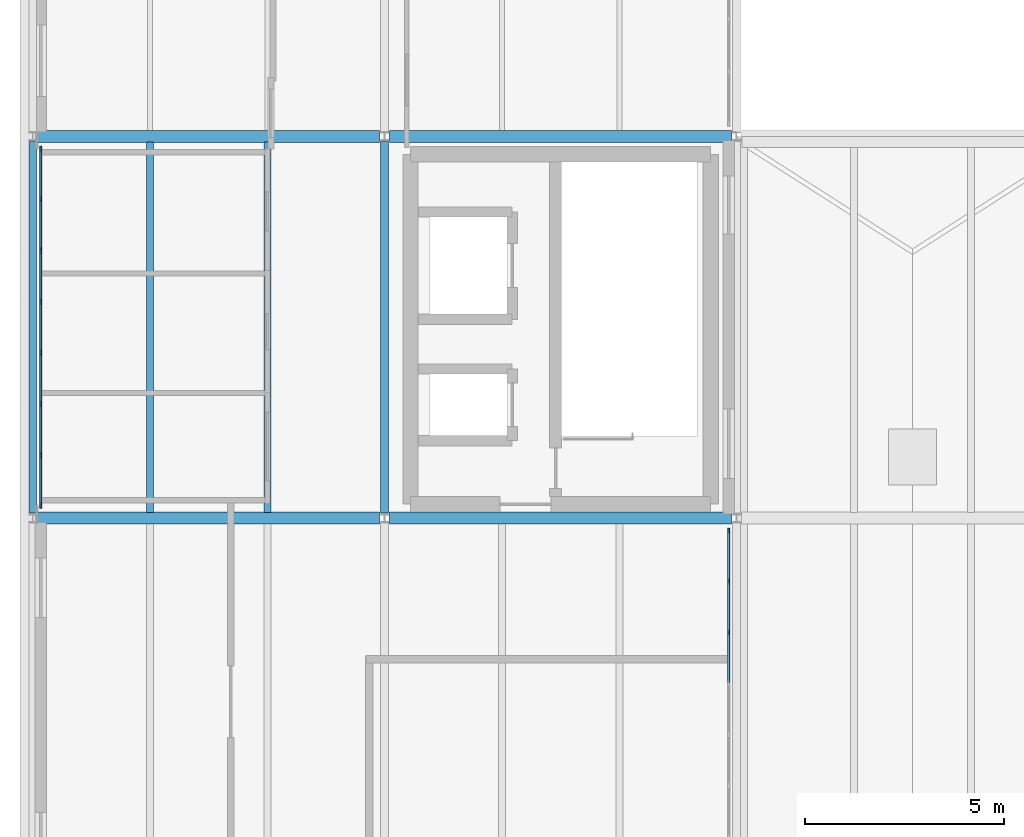
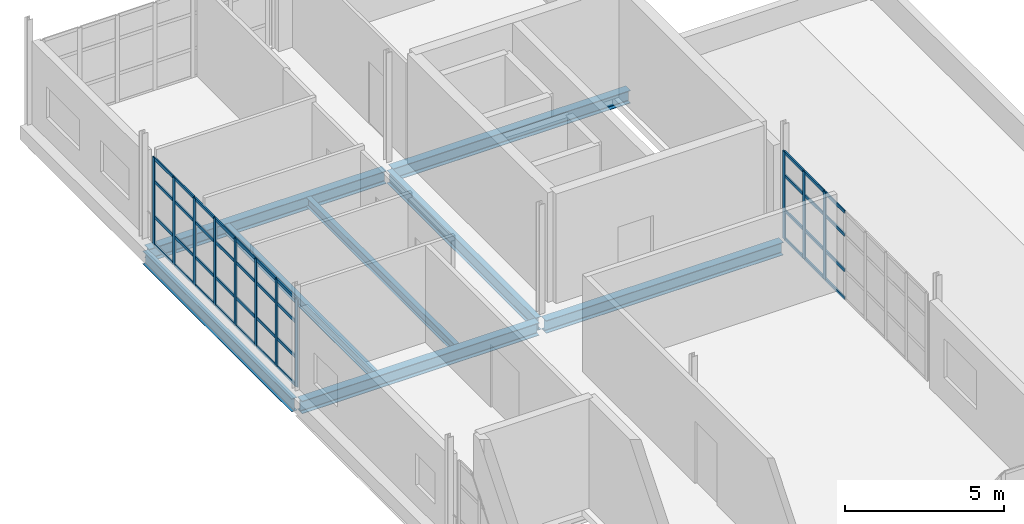
# One storey, part 6 of 16: 51 members, 8 beams, 2 elements without a shape of their own.
"""IFC4 building model written with IfcOpenShell, lengths in metres."""

from ifc_helpers import new_model, si_unit, direction, frame, origin, origin_2d, place, context, subcontext, project, spatial, rectangle, i_section, extrude, material, layer, layer_set, material_profile, profile_set, type_object, element, aggregate, save


model = new_model("IFC4")

# Units and contexts
model_context = context("Model", 3, precision=1e-05, world=origin(), true_north=direction((0.0, 1.0)))
body_context = subcontext(model_context, "Body", "Model", "MODEL_VIEW")
ifc_project = project(units=[si_unit("LENGTHUNIT", "METRE"), si_unit("AREAUNIT", "SQUARE_METRE"), si_unit("VOLUMEUNIT", "CUBIC_METRE"), si_unit("PLANEANGLEUNIT", "RADIAN"), si_unit("MASSUNIT", "GRAM", prefix="KILO")], contexts=[model_context])

# Site, building, storey
site_placement = place(None, origin())
site = spatial("IfcSite", under=ifc_project, at=site_placement, CompositionType="ELEMENT")
building_placement = place(site_placement, origin())
building = spatial("IfcBuilding", under=site, at=building_placement, Name="Yeouljin Market Hall", CompositionType="ELEMENT")
storey_placement = place(building_placement, frame((0.0, 0.0, 19.199951171875)))
storey = spatial("IfcBuildingStorey", under=building, at=storey_placement, Name="L04", CompositionType="ELEMENT", Elevation=19.199951171875)

# Beams
ifc_material_1 = material(Name="Steel SM355", Category="steel")
ifc_material_profile_1 = material_profile(ifc_material_1, i_section(OverallWidth=0.199951171875, OverallDepth=0.5, WebThickness=0.010009765625, FlangeThickness=0.01611328125, FilletRadius=0.02001953125, at=origin_2d()), Name="H-500x200x10x16")
ifc_profile_set_1 = profile_set([ifc_material_profile_1], Name="Steel SM355")
beam_type_1 = type_object("IfcBeamType", Name="Beam_H-500x200x10x16", PredefinedType="BEAM", material=ifc_profile_set_1)
for number, where, z_axis, x_axis, name in (
    (1, (0.0, 19.324951171875, -0.514892578125), (0.0, 1.0, 0.0), (-1.0, 0.0, 0.0), "Primary beam BM-L04-Y029"),
    (2, (8.85009765625, 19.324951171875, -0.514892578125), (0.0, 1.0, 0.0), (-1.0, 0.0, 0.0), "Primary beam BM-L04-Y033"),
):
    element("IfcBeam", number, at=place(storey_placement, frame(where, z_axis=z_axis, x_axis=x_axis)), inside=storey, type_object=beam_type_1, Name=name, PredefinedType="BEAM", context=body_context, shape_type="SweptSolid", body=[
        extrude(i_section(OverallWidth=0.199951171875, OverallDepth=0.5, WebThickness=0.010009765625, FlangeThickness=0.01611328125, FilletRadius=0.02001953125, at=origin_2d()), origin(), (0.0, 0.0, 1.0), 9.35009765625),
    ])

# Curtain wall, members
ifc_material_2 = material(Name="Thermally Broken Aluminium", Category="aluminium")
ifc_layer = layer(ifc_material_2, 0.14990234375)
ifc_layer_set = layer_set([ifc_layer], Name="Thermally Broken Aluminium")
curtain_wall_type = type_object("IfcCurtainWallType", Name="CW_AcademyRibbon_System", PredefinedType="USERDEFINED", material=ifc_layer_set)
curtain_wall_1_placement = place(storey_placement, origin())
curtain_wall_1 = element("IfcCurtainWall", 3, at=curtain_wall_1_placement, inside=storey, type_object=curtain_wall_type, Name="Curtain wall CW-L04-W05", ObjectType="CURTAIN WALL", PredefinedType="USERDEFINED")
ifc_material_3 = material(Name="Thermally Broken Aluminium", Category="aluminium")
ifc_material_profile_2 = material_profile(ifc_material_3, rectangle(XDim=0.048095703125, YDim=0.14990234375, at=origin_2d()), Name="CW-MULL-48x150")
ifc_profile_set_2 = profile_set([ifc_material_profile_2], Name="Thermally Broken Aluminium")
member_type_1 = type_object("IfcMemberType", Name="CWMullion_48x150", PredefinedType="MULLION", material=ifc_profile_set_2)
member_1_placement = place(storey_placement, frame((0.199951171875, 19.52392578125, 0.0), z_axis=(0.0, 0.0, 1.0), x_axis=(-1.0, 0.0, 0.0)))
member_1 = element("IfcMember", 4, at=member_1_placement, type_object=member_type_1, Name="CW-05 mullion 1", PredefinedType="MULLION", context=body_context, shape_type="SweptSolid", body=[
    extrude(rectangle(XDim=0.048095703125, YDim=0.14990234375, at=origin_2d()), origin(), (0.0, 0.0, 1.0), 3.35009765625),
])
member_2_placement = place(storey_placement, frame((0.199951171875, 20.78564453125, 0.0), z_axis=(0.0, 0.0, 1.0), x_axis=(-1.0, 0.0, 0.0)))
member_2 = element("IfcMember", 5, at=member_2_placement, type_object=member_type_1, Name="CW-05 mullion 2", PredefinedType="MULLION", context=body_context, shape_type="SweptSolid", body=[
    extrude(rectangle(XDim=0.048095703125, YDim=0.14990234375, at=origin_2d()), origin(), (0.0, 0.0, 1.0), 3.35009765625),
])
member_3_placement = place(storey_placement, frame((0.199951171875, 22.071533203125, 0.0), z_axis=(0.0, 0.0, 1.0), x_axis=(-1.0, 0.0, 0.0)))
member_3 = element("IfcMember", 6, at=member_3_placement, type_object=member_type_1, Name="CW-05 mullion 3", PredefinedType="MULLION", context=body_context, shape_type="SweptSolid", body=[
    extrude(rectangle(XDim=0.048095703125, YDim=0.14990234375, at=origin_2d()), origin(), (0.0, 0.0, 1.0), 3.35009765625),
])
member_4_placement = place(storey_placement, frame((0.199951171875, 23.357177734375, 0.0), z_axis=(0.0, 0.0, 1.0), x_axis=(-1.0, 0.0, 0.0)))
member_4 = element("IfcMember", 7, at=member_4_placement, type_object=member_type_1, Name="CW-05 mullion 4", PredefinedType="MULLION", context=body_context, shape_type="SweptSolid", body=[
    extrude(rectangle(XDim=0.048095703125, YDim=0.14990234375, at=origin_2d()), origin(), (0.0, 0.0, 1.0), 3.35009765625),
])
member_5_placement = place(storey_placement, frame((0.199951171875, 24.642822265625, 0.0), z_axis=(0.0, 0.0, 1.0), x_axis=(-1.0, 0.0, 0.0)))
member_5 = element("IfcMember", 8, at=member_5_placement, type_object=member_type_1, Name="CW-05 mullion 5", PredefinedType="MULLION", context=body_context, shape_type="SweptSolid", body=[
    extrude(rectangle(XDim=0.048095703125, YDim=0.14990234375, at=origin_2d()), origin(), (0.0, 0.0, 1.0), 3.35009765625),
])
member_6_placement = place(storey_placement, frame((0.199951171875, 25.928466796875, 0.0), z_axis=(0.0, 0.0, 1.0), x_axis=(-1.0, 0.0, 0.0)))
member_6 = element("IfcMember", 9, at=member_6_placement, type_object=member_type_1, Name="CW-05 mullion 6", PredefinedType="MULLION", context=body_context, shape_type="SweptSolid", body=[
    extrude(rectangle(XDim=0.048095703125, YDim=0.14990234375, at=origin_2d()), origin(), (0.0, 0.0, 1.0), 3.35009765625),
])
member_7_placement = place(storey_placement, frame((0.199951171875, 27.21435546875, 0.0), z_axis=(0.0, 0.0, 1.0), x_axis=(-1.0, 0.0, 0.0)))
member_7 = element("IfcMember", 10, at=member_7_placement, type_object=member_type_1, Name="CW-05 mullion 7", PredefinedType="MULLION", context=body_context, shape_type="SweptSolid", body=[
    extrude(rectangle(XDim=0.048095703125, YDim=0.14990234375, at=origin_2d()), origin(), (0.0, 0.0, 1.0), 3.35009765625),
])
member_8_placement = place(storey_placement, frame((0.199951171875, 28.47607421875, 0.0), z_axis=(0.0, 0.0, 1.0), x_axis=(-1.0, 0.0, 0.0)))
member_8 = element("IfcMember", 11, at=member_8_placement, type_object=member_type_1, Name="CW-05 mullion 8", PredefinedType="MULLION", context=body_context, shape_type="SweptSolid", body=[
    extrude(rectangle(XDim=0.048095703125, YDim=0.14990234375, at=origin_2d()), origin(), (0.0, 0.0, 1.0), 3.35009765625),
])

curtain_wall_2_placement = place(storey_placement, origin())
curtain_wall_2 = element("IfcCurtainWall", 12, at=curtain_wall_2_placement, inside=storey, type_object=curtain_wall_type, Name="Curtain wall CW-L04-W11", ObjectType="CURTAIN WALL", PredefinedType="USERDEFINED")
member_9_placement = place(storey_placement, frame((17.5, 18.8759765625, 0.0), z_axis=(0.0, 0.0, 1.0), x_axis=(1.0, 0.0, 0.0)))
member_9 = element("IfcMember", 13, at=member_9_placement, type_object=member_type_1, Name="CW-05 mullion 1", PredefinedType="MULLION", context=body_context, shape_type="SweptSolid", body=[
    extrude(rectangle(XDim=0.048095703125, YDim=0.14990234375, at=origin_2d()), origin(), (0.0, 0.0, 1.0), 3.35009765625),
])
member_10_placement = place(storey_placement, frame((17.5, 17.6142578125, 0.0), z_axis=(0.0, 0.0, 1.0), x_axis=(1.0, 0.0, 0.0)))
member_10 = element("IfcMember", 14, at=member_10_placement, type_object=member_type_1, Name="CW-05 mullion 2", PredefinedType="MULLION", context=body_context, shape_type="SweptSolid", body=[
    extrude(rectangle(XDim=0.048095703125, YDim=0.14990234375, at=origin_2d()), origin(), (0.0, 0.0, 1.0), 3.35009765625),
])
member_11_placement = place(storey_placement, frame((17.5, 16.32861328125, 0.0), z_axis=(0.0, 0.0, 1.0), x_axis=(1.0, 0.0, 0.0)))
member_11 = element("IfcMember", 15, at=member_11_placement, type_object=member_type_1, Name="CW-05 mullion 3", PredefinedType="MULLION", context=body_context, shape_type="SweptSolid", body=[
    extrude(rectangle(XDim=0.048095703125, YDim=0.14990234375, at=origin_2d()), origin(), (0.0, 0.0, 1.0), 3.35009765625),
])

# Member
ifc_material_4 = material(Name="Thermally Broken Aluminium", Category="aluminium")
ifc_material_profile_3 = material_profile(ifc_material_4, rectangle(XDim=0.048095703125, YDim=0.1201171875, at=origin_2d()), Name="CW-TRAN-48x120")
ifc_profile_set_3 = profile_set([ifc_material_profile_3], Name="Thermally Broken Aluminium")
member_type_2 = type_object("IfcMemberType", Name="CWTransom_48x120", PredefinedType="USERDEFINED", material=ifc_profile_set_3)
member_12_placement = place(storey_placement, frame((0.199951171875, 19.548095703125, 0.024169921875), z_axis=(0.0, 1.0, 0.0), x_axis=(-1.0, 0.0, 0.0)))
member_12 = element("IfcMember", 16, at=member_12_placement, type_object=member_type_2, Name="CW-05 transom 1.1", ObjectType="TRANSOM", PredefinedType="USERDEFINED", context=body_context, shape_type="SweptSolid", body=[
    extrude(rectangle(XDim=0.048095703125, YDim=0.1201171875, at=origin_2d()), origin(), (0.0, 0.0, 1.0), 1.213623046875),
])

member_13_placement = place(storey_placement, frame((0.199951171875, 19.548095703125, 1.10009765625), z_axis=(0.0, 1.0, 0.0), x_axis=(-1.0, 0.0, 0.0)))
member_13 = element("IfcMember", 17, at=member_13_placement, type_object=member_type_2, Name="CW-05 transom 1.2", ObjectType="TRANSOM", PredefinedType="USERDEFINED", context=body_context, shape_type="SweptSolid", body=[
    extrude(rectangle(XDim=0.048095703125, YDim=0.1201171875, at=origin_2d()), origin(), (0.0, 0.0, 1.0), 1.213623046875),
])

member_14_placement = place(storey_placement, frame((0.199951171875, 19.548095703125, 2.449951171875), z_axis=(0.0, 1.0, 0.0), x_axis=(-1.0, 0.0, 0.0)))
member_14 = element("IfcMember", 18, at=member_14_placement, type_object=member_type_2, Name="CW-05 transom 1.3", ObjectType="TRANSOM", PredefinedType="USERDEFINED", context=body_context, shape_type="SweptSolid", body=[
    extrude(rectangle(XDim=0.048095703125, YDim=0.1201171875, at=origin_2d()), origin(), (0.0, 0.0, 1.0), 1.213623046875),
])

member_15_placement = place(storey_placement, frame((0.199951171875, 19.548095703125, 3.325927734375), z_axis=(0.0, 1.0, 0.0), x_axis=(-1.0, 0.0, 0.0)))
member_15 = element("IfcMember", 19, at=member_15_placement, type_object=member_type_2, Name="CW-05 transom 1.4", ObjectType="TRANSOM", PredefinedType="USERDEFINED", context=body_context, shape_type="SweptSolid", body=[
    extrude(rectangle(XDim=0.048095703125, YDim=0.1201171875, at=origin_2d()), origin(), (0.0, 0.0, 1.0), 1.213623046875),
])

member_16_placement = place(storey_placement, frame((0.199951171875, 20.809814453125, 0.024169921875), z_axis=(0.0, 1.0, 0.0), x_axis=(-1.0, 0.0, 0.0)))
member_16 = element("IfcMember", 20, at=member_16_placement, type_object=member_type_2, Name="CW-05 transom 2.1", ObjectType="TRANSOM", PredefinedType="USERDEFINED", context=body_context, shape_type="SweptSolid", body=[
    extrude(rectangle(XDim=0.048095703125, YDim=0.1201171875, at=origin_2d()), origin(), (0.0, 0.0, 1.0), 1.237548828125),
])

member_17_placement = place(storey_placement, frame((0.199951171875, 20.809814453125, 1.10009765625), z_axis=(0.0, 1.0, 0.0), x_axis=(-1.0, 0.0, 0.0)))
member_17 = element("IfcMember", 21, at=member_17_placement, type_object=member_type_2, Name="CW-05 transom 2.2", ObjectType="TRANSOM", PredefinedType="USERDEFINED", context=body_context, shape_type="SweptSolid", body=[
    extrude(rectangle(XDim=0.048095703125, YDim=0.1201171875, at=origin_2d()), origin(), (0.0, 0.0, 1.0), 1.237548828125),
])

member_18_placement = place(storey_placement, frame((0.199951171875, 20.809814453125, 2.449951171875), z_axis=(0.0, 1.0, 0.0), x_axis=(-1.0, 0.0, 0.0)))
member_18 = element("IfcMember", 22, at=member_18_placement, type_object=member_type_2, Name="CW-05 transom 2.3", ObjectType="TRANSOM", PredefinedType="USERDEFINED", context=body_context, shape_type="SweptSolid", body=[
    extrude(rectangle(XDim=0.048095703125, YDim=0.1201171875, at=origin_2d()), origin(), (0.0, 0.0, 1.0), 1.237548828125),
])

member_19_placement = place(storey_placement, frame((0.199951171875, 20.809814453125, 3.325927734375), z_axis=(0.0, 1.0, 0.0), x_axis=(-1.0, 0.0, 0.0)))
member_19 = element("IfcMember", 23, at=member_19_placement, type_object=member_type_2, Name="CW-05 transom 2.4", ObjectType="TRANSOM", PredefinedType="USERDEFINED", context=body_context, shape_type="SweptSolid", body=[
    extrude(rectangle(XDim=0.048095703125, YDim=0.1201171875, at=origin_2d()), origin(), (0.0, 0.0, 1.0), 1.237548828125),
])

member_20_placement = place(storey_placement, frame((0.199951171875, 22.095458984375, 0.024169921875), z_axis=(0.0, 1.0, 0.0), x_axis=(-1.0, 0.0, 0.0)))
member_20 = element("IfcMember", 24, at=member_20_placement, type_object=member_type_2, Name="CW-05 transom 3.1", ObjectType="TRANSOM", PredefinedType="USERDEFINED", context=body_context, shape_type="SweptSolid", body=[
    extrude(rectangle(XDim=0.048095703125, YDim=0.1201171875, at=origin_2d()), origin(), (0.0, 0.0, 1.0), 1.23779296875),
])

member_21_placement = place(storey_placement, frame((0.199951171875, 22.095458984375, 1.10009765625), z_axis=(0.0, 1.0, 0.0), x_axis=(-1.0, 0.0, 0.0)))
member_21 = element("IfcMember", 25, at=member_21_placement, type_object=member_type_2, Name="CW-05 transom 3.2", ObjectType="TRANSOM", PredefinedType="USERDEFINED", context=body_context, shape_type="SweptSolid", body=[
    extrude(rectangle(XDim=0.048095703125, YDim=0.1201171875, at=origin_2d()), origin(), (0.0, 0.0, 1.0), 1.23779296875),
])

member_22_placement = place(storey_placement, frame((0.199951171875, 22.095458984375, 2.449951171875), z_axis=(0.0, 1.0, 0.0), x_axis=(-1.0, 0.0, 0.0)))
member_22 = element("IfcMember", 26, at=member_22_placement, type_object=member_type_2, Name="CW-05 transom 3.3", ObjectType="TRANSOM", PredefinedType="USERDEFINED", context=body_context, shape_type="SweptSolid", body=[
    extrude(rectangle(XDim=0.048095703125, YDim=0.1201171875, at=origin_2d()), origin(), (0.0, 0.0, 1.0), 1.23779296875),
])

member_23_placement = place(storey_placement, frame((0.199951171875, 22.095458984375, 3.325927734375), z_axis=(0.0, 1.0, 0.0), x_axis=(-1.0, 0.0, 0.0)))
member_23 = element("IfcMember", 27, at=member_23_placement, type_object=member_type_2, Name="CW-05 transom 3.4", ObjectType="TRANSOM", PredefinedType="USERDEFINED", context=body_context, shape_type="SweptSolid", body=[
    extrude(rectangle(XDim=0.048095703125, YDim=0.1201171875, at=origin_2d()), origin(), (0.0, 0.0, 1.0), 1.23779296875),
])

member_24_placement = place(storey_placement, frame((0.199951171875, 23.381103515625, 0.024169921875), z_axis=(0.0, 1.0, 0.0), x_axis=(-1.0, 0.0, 0.0)))
member_24 = element("IfcMember", 28, at=member_24_placement, type_object=member_type_2, Name="CW-05 transom 4.1", ObjectType="TRANSOM", PredefinedType="USERDEFINED", context=body_context, shape_type="SweptSolid", body=[
    extrude(rectangle(XDim=0.048095703125, YDim=0.1201171875, at=origin_2d()), origin(), (0.0, 0.0, 1.0), 1.23779296875),
])

member_25_placement = place(storey_placement, frame((0.199951171875, 23.381103515625, 1.10009765625), z_axis=(0.0, 1.0, 0.0), x_axis=(-1.0, 0.0, 0.0)))
member_25 = element("IfcMember", 29, at=member_25_placement, type_object=member_type_2, Name="CW-05 transom 4.2", ObjectType="TRANSOM", PredefinedType="USERDEFINED", context=body_context, shape_type="SweptSolid", body=[
    extrude(rectangle(XDim=0.048095703125, YDim=0.1201171875, at=origin_2d()), origin(), (0.0, 0.0, 1.0), 1.23779296875),
])

member_26_placement = place(storey_placement, frame((0.199951171875, 23.381103515625, 2.449951171875), z_axis=(0.0, 1.0, 0.0), x_axis=(-1.0, 0.0, 0.0)))
member_26 = element("IfcMember", 30, at=member_26_placement, type_object=member_type_2, Name="CW-05 transom 4.3", ObjectType="TRANSOM", PredefinedType="USERDEFINED", context=body_context, shape_type="SweptSolid", body=[
    extrude(rectangle(XDim=0.048095703125, YDim=0.1201171875, at=origin_2d()), origin(), (0.0, 0.0, 1.0), 1.23779296875),
])

member_27_placement = place(storey_placement, frame((0.199951171875, 23.381103515625, 3.325927734375), z_axis=(0.0, 1.0, 0.0), x_axis=(-1.0, 0.0, 0.0)))
member_27 = element("IfcMember", 31, at=member_27_placement, type_object=member_type_2, Name="CW-05 transom 4.4", ObjectType="TRANSOM", PredefinedType="USERDEFINED", context=body_context, shape_type="SweptSolid", body=[
    extrude(rectangle(XDim=0.048095703125, YDim=0.1201171875, at=origin_2d()), origin(), (0.0, 0.0, 1.0), 1.23779296875),
])

member_28_placement = place(storey_placement, frame((0.199951171875, 24.666748046875, 0.024169921875), z_axis=(0.0, 1.0, 0.0), x_axis=(-1.0, 0.0, 0.0)))
member_28 = element("IfcMember", 32, at=member_28_placement, type_object=member_type_2, Name="CW-05 transom 5.1", ObjectType="TRANSOM", PredefinedType="USERDEFINED", context=body_context, shape_type="SweptSolid", body=[
    extrude(rectangle(XDim=0.048095703125, YDim=0.1201171875, at=origin_2d()), origin(), (0.0, 0.0, 1.0), 1.23779296875),
])

member_29_placement = place(storey_placement, frame((0.199951171875, 24.666748046875, 1.10009765625), z_axis=(0.0, 1.0, 0.0), x_axis=(-1.0, 0.0, 0.0)))
member_29 = element("IfcMember", 33, at=member_29_placement, type_object=member_type_2, Name="CW-05 transom 5.2", ObjectType="TRANSOM", PredefinedType="USERDEFINED", context=body_context, shape_type="SweptSolid", body=[
    extrude(rectangle(XDim=0.048095703125, YDim=0.1201171875, at=origin_2d()), origin(), (0.0, 0.0, 1.0), 1.23779296875),
])

member_30_placement = place(storey_placement, frame((0.199951171875, 24.666748046875, 2.449951171875), z_axis=(0.0, 1.0, 0.0), x_axis=(-1.0, 0.0, 0.0)))
member_30 = element("IfcMember", 34, at=member_30_placement, type_object=member_type_2, Name="CW-05 transom 5.3", ObjectType="TRANSOM", PredefinedType="USERDEFINED", context=body_context, shape_type="SweptSolid", body=[
    extrude(rectangle(XDim=0.048095703125, YDim=0.1201171875, at=origin_2d()), origin(), (0.0, 0.0, 1.0), 1.23779296875),
])

member_31_placement = place(storey_placement, frame((0.199951171875, 24.666748046875, 3.325927734375), z_axis=(0.0, 1.0, 0.0), x_axis=(-1.0, 0.0, 0.0)))
member_31 = element("IfcMember", 35, at=member_31_placement, type_object=member_type_2, Name="CW-05 transom 5.4", ObjectType="TRANSOM", PredefinedType="USERDEFINED", context=body_context, shape_type="SweptSolid", body=[
    extrude(rectangle(XDim=0.048095703125, YDim=0.1201171875, at=origin_2d()), origin(), (0.0, 0.0, 1.0), 1.23779296875),
])

member_32_placement = place(storey_placement, frame((0.199951171875, 25.95263671875, 0.024169921875), z_axis=(0.0, 1.0, 0.0), x_axis=(-1.0, 0.0, 0.0)))
member_32 = element("IfcMember", 36, at=member_32_placement, type_object=member_type_2, Name="CW-05 transom 6.1", ObjectType="TRANSOM", PredefinedType="USERDEFINED", context=body_context, shape_type="SweptSolid", body=[
    extrude(rectangle(XDim=0.048095703125, YDim=0.1201171875, at=origin_2d()), origin(), (0.0, 0.0, 1.0), 1.237548828125),
])

member_33_placement = place(storey_placement, frame((0.199951171875, 25.95263671875, 1.10009765625), z_axis=(0.0, 1.0, 0.0), x_axis=(-1.0, 0.0, 0.0)))
member_33 = element("IfcMember", 37, at=member_33_placement, type_object=member_type_2, Name="CW-05 transom 6.2", ObjectType="TRANSOM", PredefinedType="USERDEFINED", context=body_context, shape_type="SweptSolid", body=[
    extrude(rectangle(XDim=0.048095703125, YDim=0.1201171875, at=origin_2d()), origin(), (0.0, 0.0, 1.0), 1.237548828125),
])

member_34_placement = place(storey_placement, frame((0.199951171875, 25.95263671875, 2.449951171875), z_axis=(0.0, 1.0, 0.0), x_axis=(-1.0, 0.0, 0.0)))
member_34 = element("IfcMember", 38, at=member_34_placement, type_object=member_type_2, Name="CW-05 transom 6.3", ObjectType="TRANSOM", PredefinedType="USERDEFINED", context=body_context, shape_type="SweptSolid", body=[
    extrude(rectangle(XDim=0.048095703125, YDim=0.1201171875, at=origin_2d()), origin(), (0.0, 0.0, 1.0), 1.237548828125),
])

member_35_placement = place(storey_placement, frame((0.199951171875, 25.95263671875, 3.325927734375), z_axis=(0.0, 1.0, 0.0), x_axis=(-1.0, 0.0, 0.0)))
member_35 = element("IfcMember", 39, at=member_35_placement, type_object=member_type_2, Name="CW-05 transom 6.4", ObjectType="TRANSOM", PredefinedType="USERDEFINED", context=body_context, shape_type="SweptSolid", body=[
    extrude(rectangle(XDim=0.048095703125, YDim=0.1201171875, at=origin_2d()), origin(), (0.0, 0.0, 1.0), 1.237548828125),
])

member_36_placement = place(storey_placement, frame((0.199951171875, 27.23828125, 0.024169921875), z_axis=(0.0, 1.0, 0.0), x_axis=(-1.0, 0.0, 0.0)))
member_36 = element("IfcMember", 40, at=member_36_placement, type_object=member_type_2, Name="CW-05 transom 7.1", ObjectType="TRANSOM", PredefinedType="USERDEFINED", context=body_context, shape_type="SweptSolid", body=[
    extrude(rectangle(XDim=0.048095703125, YDim=0.1201171875, at=origin_2d()), origin(), (0.0, 0.0, 1.0), 1.213623046875),
])

member_37_placement = place(storey_placement, frame((0.199951171875, 27.23828125, 1.10009765625), z_axis=(0.0, 1.0, 0.0), x_axis=(-1.0, 0.0, 0.0)))
member_37 = element("IfcMember", 41, at=member_37_placement, type_object=member_type_2, Name="CW-05 transom 7.2", ObjectType="TRANSOM", PredefinedType="USERDEFINED", context=body_context, shape_type="SweptSolid", body=[
    extrude(rectangle(XDim=0.048095703125, YDim=0.1201171875, at=origin_2d()), origin(), (0.0, 0.0, 1.0), 1.213623046875),
])

member_38_placement = place(storey_placement, frame((0.199951171875, 27.23828125, 2.449951171875), z_axis=(0.0, 1.0, 0.0), x_axis=(-1.0, 0.0, 0.0)))
member_38 = element("IfcMember", 42, at=member_38_placement, type_object=member_type_2, Name="CW-05 transom 7.3", ObjectType="TRANSOM", PredefinedType="USERDEFINED", context=body_context, shape_type="SweptSolid", body=[
    extrude(rectangle(XDim=0.048095703125, YDim=0.1201171875, at=origin_2d()), origin(), (0.0, 0.0, 1.0), 1.213623046875),
])

member_39_placement = place(storey_placement, frame((0.199951171875, 27.23828125, 3.325927734375), z_axis=(0.0, 1.0, 0.0), x_axis=(-1.0, 0.0, 0.0)))
member_39 = element("IfcMember", 43, at=member_39_placement, type_object=member_type_2, Name="CW-05 transom 7.4", ObjectType="TRANSOM", PredefinedType="USERDEFINED", context=body_context, shape_type="SweptSolid", body=[
    extrude(rectangle(XDim=0.048095703125, YDim=0.1201171875, at=origin_2d()), origin(), (0.0, 0.0, 1.0), 1.213623046875),
])

aggregate(curtain_wall_1, [member_1, member_2, member_3, member_4, member_5, member_6, member_7, member_8, member_12, member_13, member_14, member_15, member_16, member_17, member_18, member_19, member_20, member_21, member_22, member_23, member_24, member_25, member_26, member_27, member_28, member_29, member_30, member_31, member_32, member_33, member_34, member_35, member_36, member_37, member_38, member_39])

member_40_placement = place(storey_placement, frame((17.5, 18.85205078125, 0.024169921875), z_axis=(0.0, -1.0, 0.0), x_axis=(1.0, 0.0, 0.0)))
member_40 = element("IfcMember", 44, at=member_40_placement, type_object=member_type_2, Name="CW-05 transom 1.1", ObjectType="TRANSOM", PredefinedType="USERDEFINED", context=body_context, shape_type="SweptSolid", body=[
    extrude(rectangle(XDim=0.048095703125, YDim=0.1201171875, at=origin_2d()), origin(), (0.0, 0.0, 1.0), 1.2138671875),
])

member_41_placement = place(storey_placement, frame((17.5, 18.85205078125, 1.10009765625), z_axis=(0.0, -1.0, 0.0), x_axis=(1.0, 0.0, 0.0)))
member_41 = element("IfcMember", 45, at=member_41_placement, type_object=member_type_2, Name="CW-05 transom 1.2", ObjectType="TRANSOM", PredefinedType="USERDEFINED", context=body_context, shape_type="SweptSolid", body=[
    extrude(rectangle(XDim=0.048095703125, YDim=0.1201171875, at=origin_2d()), origin(), (0.0, 0.0, 1.0), 1.2138671875),
])

member_42_placement = place(storey_placement, frame((17.5, 18.85205078125, 2.449951171875), z_axis=(0.0, -1.0, 0.0), x_axis=(1.0, 0.0, 0.0)))
member_42 = element("IfcMember", 46, at=member_42_placement, type_object=member_type_2, Name="CW-05 transom 1.3", ObjectType="TRANSOM", PredefinedType="USERDEFINED", context=body_context, shape_type="SweptSolid", body=[
    extrude(rectangle(XDim=0.048095703125, YDim=0.1201171875, at=origin_2d()), origin(), (0.0, 0.0, 1.0), 1.2138671875),
])

member_43_placement = place(storey_placement, frame((17.5, 18.85205078125, 3.325927734375), z_axis=(0.0, -1.0, 0.0), x_axis=(1.0, 0.0, 0.0)))
member_43 = element("IfcMember", 47, at=member_43_placement, type_object=member_type_2, Name="CW-05 transom 1.4", ObjectType="TRANSOM", PredefinedType="USERDEFINED", context=body_context, shape_type="SweptSolid", body=[
    extrude(rectangle(XDim=0.048095703125, YDim=0.1201171875, at=origin_2d()), origin(), (0.0, 0.0, 1.0), 1.2138671875),
])

member_44_placement = place(storey_placement, frame((17.5, 17.59033203125, 0.024169921875), z_axis=(0.0, -1.0, 0.0), x_axis=(1.0, 0.0, 0.0)))
member_44 = element("IfcMember", 48, at=member_44_placement, type_object=member_type_2, Name="CW-05 transom 2.1", ObjectType="TRANSOM", PredefinedType="USERDEFINED", context=body_context, shape_type="SweptSolid", body=[
    extrude(rectangle(XDim=0.048095703125, YDim=0.1201171875, at=origin_2d()), origin(), (0.0, 0.0, 1.0), 1.23779296875),
])

member_45_placement = place(storey_placement, frame((17.5, 17.59033203125, 1.10009765625), z_axis=(0.0, -1.0, 0.0), x_axis=(1.0, 0.0, 0.0)))
member_45 = element("IfcMember", 49, at=member_45_placement, type_object=member_type_2, Name="CW-05 transom 2.2", ObjectType="TRANSOM", PredefinedType="USERDEFINED", context=body_context, shape_type="SweptSolid", body=[
    extrude(rectangle(XDim=0.048095703125, YDim=0.1201171875, at=origin_2d()), origin(), (0.0, 0.0, 1.0), 1.23779296875),
])

member_46_placement = place(storey_placement, frame((17.5, 17.59033203125, 2.449951171875), z_axis=(0.0, -1.0, 0.0), x_axis=(1.0, 0.0, 0.0)))
member_46 = element("IfcMember", 50, at=member_46_placement, type_object=member_type_2, Name="CW-05 transom 2.3", ObjectType="TRANSOM", PredefinedType="USERDEFINED", context=body_context, shape_type="SweptSolid", body=[
    extrude(rectangle(XDim=0.048095703125, YDim=0.1201171875, at=origin_2d()), origin(), (0.0, 0.0, 1.0), 1.23779296875),
])

member_47_placement = place(storey_placement, frame((17.5, 17.59033203125, 3.325927734375), z_axis=(0.0, -1.0, 0.0), x_axis=(1.0, 0.0, 0.0)))
member_47 = element("IfcMember", 51, at=member_47_placement, type_object=member_type_2, Name="CW-05 transom 2.4", ObjectType="TRANSOM", PredefinedType="USERDEFINED", context=body_context, shape_type="SweptSolid", body=[
    extrude(rectangle(XDim=0.048095703125, YDim=0.1201171875, at=origin_2d()), origin(), (0.0, 0.0, 1.0), 1.23779296875),
])

member_48_placement = place(storey_placement, frame((17.5, 16.3046875, 0.024169921875), z_axis=(0.0, -1.0, 0.0), x_axis=(1.0, 0.0, 0.0)))
member_48 = element("IfcMember", 52, at=member_48_placement, type_object=member_type_2, Name="CW-05 transom 3.1", ObjectType="TRANSOM", PredefinedType="USERDEFINED", context=body_context, shape_type="SweptSolid", body=[
    extrude(rectangle(XDim=0.048095703125, YDim=0.1201171875, at=origin_2d()), origin(), (0.0, 0.0, 1.0), 1.23779296875),
])

member_49_placement = place(storey_placement, frame((17.5, 16.3046875, 1.10009765625), z_axis=(0.0, -1.0, 0.0), x_axis=(1.0, 0.0, 0.0)))
member_49 = element("IfcMember", 53, at=member_49_placement, type_object=member_type_2, Name="CW-05 transom 3.2", ObjectType="TRANSOM", PredefinedType="USERDEFINED", context=body_context, shape_type="SweptSolid", body=[
    extrude(rectangle(XDim=0.048095703125, YDim=0.1201171875, at=origin_2d()), origin(), (0.0, 0.0, 1.0), 1.23779296875),
])

member_50_placement = place(storey_placement, frame((17.5, 16.3046875, 2.449951171875), z_axis=(0.0, -1.0, 0.0), x_axis=(1.0, 0.0, 0.0)))
member_50 = element("IfcMember", 54, at=member_50_placement, type_object=member_type_2, Name="CW-05 transom 3.3", ObjectType="TRANSOM", PredefinedType="USERDEFINED", context=body_context, shape_type="SweptSolid", body=[
    extrude(rectangle(XDim=0.048095703125, YDim=0.1201171875, at=origin_2d()), origin(), (0.0, 0.0, 1.0), 1.23779296875),
])

member_51_placement = place(storey_placement, frame((17.5, 16.3046875, 3.325927734375), z_axis=(0.0, -1.0, 0.0), x_axis=(1.0, 0.0, 0.0)))
member_51 = element("IfcMember", 55, at=member_51_placement, type_object=member_type_2, Name="CW-05 transom 3.4", ObjectType="TRANSOM", PredefinedType="USERDEFINED", context=body_context, shape_type="SweptSolid", body=[
    extrude(rectangle(XDim=0.048095703125, YDim=0.1201171875, at=origin_2d()), origin(), (0.0, 0.0, 1.0), 1.23779296875),
])

aggregate(curtain_wall_2, [member_9, member_10, member_11, member_40, member_41, member_42, member_43, member_44, member_45, member_46, member_47, member_48, member_49, member_50, member_51])

# Beams
ifc_material_5 = material(Name="Steel SM355", Category="steel")
ifc_material_profile_4 = material_profile(ifc_material_5, i_section(OverallWidth=0.300048828125, OverallDepth=0.488037109375, WebThickness=0.010986328125, FlangeThickness=0.01806640625, FilletRadius=0.02197265625, at=origin_2d()), Name="H-488x300x11x18")
ifc_profile_set_4 = profile_set([ifc_material_profile_4], Name="Steel SM355")
beam_type_2 = type_object("IfcBeamType", Name="Girder_H-488x300x11x18", PredefinedType="USERDEFINED", material=ifc_profile_set_4)
beam_1_placement = place(storey_placement, frame((0.125, 19.199951171875, -0.509033203125), z_axis=(1.0, 0.0, 0.0), x_axis=(0.0, 1.0, 0.0)))
element("IfcBeam", 56, at=beam_1_placement, inside=storey, type_object=beam_type_2, Name="Primary girder GRD-L04-X013", ObjectType="GIRDER", PredefinedType="USERDEFINED", context=body_context, shape_type="SweptSolid", body=[
    extrude(i_section(OverallWidth=0.300048828125, OverallDepth=0.488037109375, WebThickness=0.010986328125, FlangeThickness=0.01806640625, FilletRadius=0.02197265625, at=origin_2d()), origin(), (0.0, 0.0, 1.0), 8.60009765625),
])
beam_2_placement = place(storey_placement, frame((8.97509765625, 19.199951171875, -0.52392578125), z_axis=(1.0, 0.0, 0.0), x_axis=(0.0, 1.0, 0.0)))
element("IfcBeam", 57, at=beam_2_placement, inside=storey, type_object=beam_type_2, Name="Primary girder GRD-L04-X014", ObjectType="GIRDER", PredefinedType="USERDEFINED", context=body_context, shape_type="SweptSolid", body=[
    extrude(i_section(OverallWidth=0.300048828125, OverallDepth=0.488037109375, WebThickness=0.010986328125, FlangeThickness=0.01806640625, FilletRadius=0.02197265625, at=origin_2d()), origin(), (0.0, 0.0, 1.0), 8.599853515625),
])
beam_3_placement = place(storey_placement, frame((0.125, 28.800048828125, -0.509033203125), z_axis=(1.0, 0.0, 0.0), x_axis=(0.0, 1.0, 0.0)))
element("IfcBeam", 58, at=beam_3_placement, inside=storey, type_object=beam_type_2, Name="Primary girder GRD-L04-X019", ObjectType="GIRDER", PredefinedType="USERDEFINED", context=body_context, shape_type="SweptSolid", body=[
    extrude(i_section(OverallWidth=0.300048828125, OverallDepth=0.488037109375, WebThickness=0.010986328125, FlangeThickness=0.01806640625, FilletRadius=0.02197265625, at=origin_2d()), origin(), (0.0, 0.0, 1.0), 8.60009765625),
])
beam_4_placement = place(storey_placement, frame((8.97509765625, 28.800048828125, -0.52392578125), z_axis=(1.0, 0.0, 0.0), x_axis=(0.0, 1.0, 0.0)))
element("IfcBeam", 59, at=beam_4_placement, inside=storey, type_object=beam_type_2, Name="Primary girder GRD-L04-X020", ObjectType="GIRDER", PredefinedType="USERDEFINED", context=body_context, shape_type="SweptSolid", body=[
    extrude(i_section(OverallWidth=0.300048828125, OverallDepth=0.488037109375, WebThickness=0.010986328125, FlangeThickness=0.01806640625, FilletRadius=0.02197265625, at=origin_2d()), origin(), (0.0, 0.0, 1.0), 8.599853515625),
])
ifc_material_6 = material(Name="Steel SM355", Category="steel")
ifc_material_profile_5 = material_profile(ifc_material_6, i_section(OverallWidth=0.175048828125, OverallDepth=0.35009765625, WebThickness=0.007080078125, FlangeThickness=0.010986328125, FilletRadius=0.013916015625, at=origin_2d()), Name="H-350x175x7x11")
ifc_profile_set_5 = profile_set([ifc_material_profile_5], Name="Steel SM355")
beam_type_3 = type_object("IfcBeamType", Name="Joist_H-350x175x7x11", PredefinedType="JOIST", material=ifc_profile_set_5)
for number, where, z_axis, x_axis, name in (
    (60, (2.949951171875, 19.346923828125, -0.43994140625), (0.0, 1.0, 0.0), (-1.0, 0.0, 0.0), "Secondary floor joist L04-004"),
    (61, (5.89990234375, 19.346923828125, -0.43994140625), (0.0, 1.0, 0.0), (-1.0, 0.0, 0.0), "Secondary floor joist L04-005"),
):
    element("IfcBeam", number, at=place(storey_placement, frame(where, z_axis=z_axis, x_axis=x_axis)), inside=storey, type_object=beam_type_3, Name=name, PredefinedType="JOIST", context=body_context, shape_type="SweptSolid", body=[
        extrude(i_section(OverallWidth=0.175048828125, OverallDepth=0.35009765625, WebThickness=0.007080078125, FlangeThickness=0.010986328125, FilletRadius=0.013916015625, at=origin_2d()), origin(), (0.0, 0.0, 1.0), 9.30615234375),
    ])

save(model, "model.ifc")
